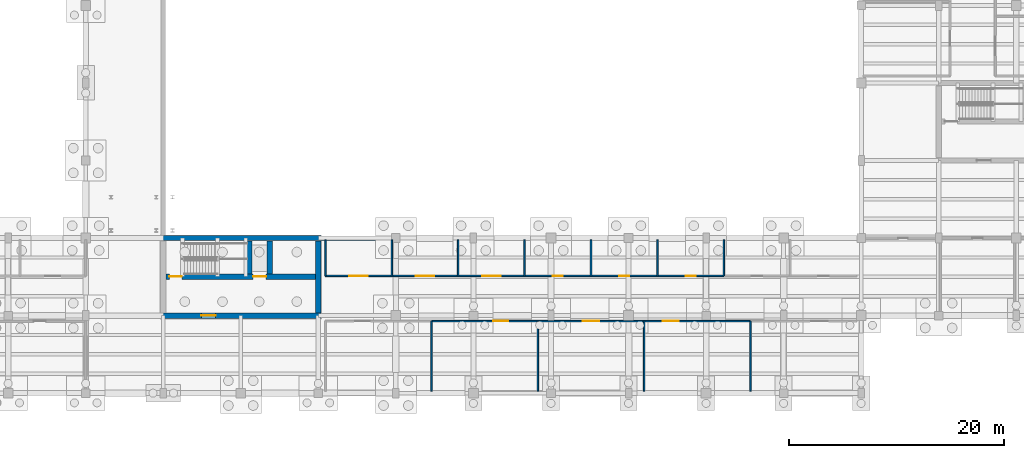
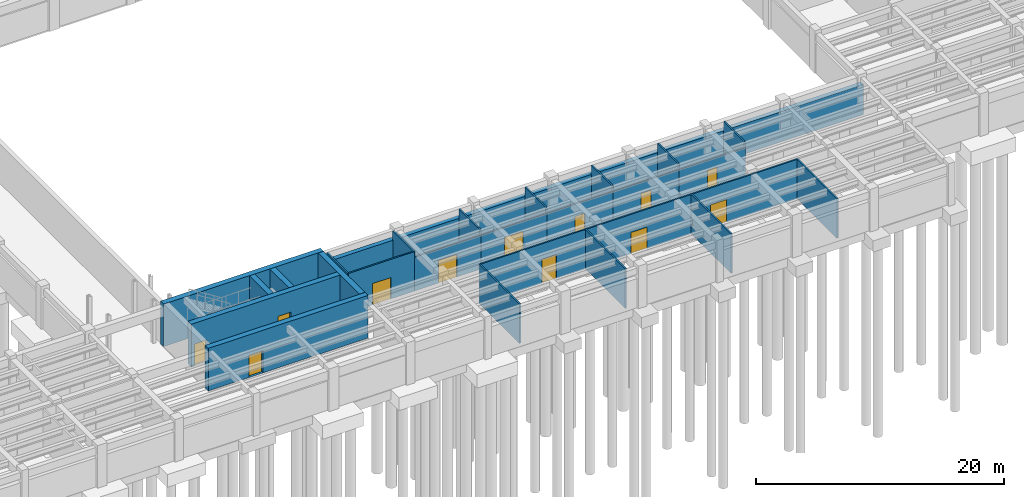
# One storey, part 19 of 33: 27 walls, 12 doors, 12 openings.
"""IFC4 building model written with IfcOpenShell, lengths in metres."""

from ifc_helpers import new_model, si_unit, direction, frame, frame_2d, origin, place, context, subcontext, project, spatial, rectangle, extrude, material, layer, layer_set, type_object, element, fill, save


model = new_model("IFC4")

# Units and contexts
model_context = context("Model", 3, precision=1e-05, world=origin(), true_north=direction((0.0, 1.0)))
body_context = subcontext(model_context, "Body", "Model", "MODEL_VIEW")
ifc_project = project(units=[si_unit("LENGTHUNIT", "METRE"), si_unit("AREAUNIT", "SQUARE_METRE"), si_unit("VOLUMEUNIT", "CUBIC_METRE"), si_unit("PLANEANGLEUNIT", "RADIAN"), si_unit("MASSUNIT", "GRAM", prefix="KILO")], contexts=[model_context])

# Site, building, storey
site_placement = place(None, origin())
site = spatial("IfcSite", under=ifc_project, at=site_placement, CompositionType="ELEMENT")
building_placement = place(site_placement, origin())
building = spatial("IfcBuilding", under=site, at=building_placement, Name="Mithqara Police Headquarters", CompositionType="ELEMENT")
storey_placement = place(building_placement, frame((0.0, 0.0, -4.199951171875)))
storey = spatial("IfcBuildingStorey", under=building, at=storey_placement, Name="B1", CompositionType="ELEMENT", Elevation=-4.199951171875)

# Wall
ifc_material_1 = material(Name="Gypsum acoustic stud partition", Category="gypsum")
ifc_layer_1 = layer(ifc_material_1, 0.139892578125, Name="Gypsum acoustic stud partition")
ifc_layer_set_1 = layer_set([ifc_layer_1], Name="Gypsum acoustic stud partition")
wall_type_1 = type_object("IfcWallType", Name="PART WALL 140", PredefinedType="PARTITIONING", material=ifc_layer_set_1)
wall_1_placement = place(storey_placement, frame((104.716064453125, 21.179931640625, 0.0), z_axis=(0.0, 0.0, 1.0), x_axis=(0.0, 1.0, 0.0)))
element("IfcWall", 1, at=wall_1_placement, inside=storey, type_object=wall_type_1, Name="B1 Room Partition Patrol Car Park", PredefinedType="PARTITIONING", context=body_context, shape_type="SweptSolid", body=[
    extrude(rectangle(XDim=6.5, YDim=0.139892578125, at=frame_2d((3.25, 0.0))), origin(), (0.0, 0.0, 1.0), 3.8798828125),
])

# Wall, opening, door
wall_2_placement = place(storey_placement, frame((104.716064453125, 27.679931640625, 0.0), z_axis=(0.0, 0.0, 1.0), x_axis=(1.0, 0.0, 0.0)))
wall_2 = element("IfcWall", 2, at=wall_2_placement, inside=storey, type_object=wall_type_1, Name="B1 Corridor Wall Driver Briefing Alcove", PredefinedType="PARTITIONING", context=body_context, shape_type="SweptSolid", body=[
    extrude(rectangle(XDim=9.865966796875, YDim=0.139892578125, at=frame_2d((4.93310546875, 0.0))), origin(), (0.0, 0.0, 1.0), 3.8798828125),
])
opening_1_placement = place(wall_2_placement, frame((5.73291015625, 0.0, 0.0)))
opening_1 = element("IfcOpeningElement", 3, at=opening_1_placement, cuts=wall_2, Name="Opening D-18", PredefinedType="OPENING", context=body_context, shape_type="SweptSolid", body=[
    extrude(rectangle(XDim=1.360107421875, YDim=2.35009765625, at=frame_2d((0.68017578125, 1.175048828125))), frame((0.0, 0.080078125, 0.0), z_axis=(0.0, -1.0, 0.0), x_axis=(1.0, 0.0, 0.0)), (0.0, 0.0, 1.0), 0.159912109375),
])
ifc_material_2 = material(Name="Bronze anodised aluminium 6063-T6", Category="aluminium")
door_type_1 = type_object("IfcDoorType", Name="INT DOOR 1360X2350", OperationType="NOTDEFINED", PredefinedType="DOOR", material=ifc_material_2)
door_1_placement = place(opening_1_placement, frame((1.360107421875, 0.0, 0.0), z_axis=(0.0, 0.0, 1.0), x_axis=(-1.0, 0.0, 0.0)))
door_1 = element("IfcDoor", 4, at=door_1_placement, inside=storey, type_object=door_type_1, Name="Driver Briefing Alcove Entry Door", OperationType="SINGLE_SWING_LEFT", OverallHeight=2.35009765625, OverallWidth=1.360107421875, PredefinedType="DOOR", context=body_context, shape_type="SweptSolid", body=[
    extrude(rectangle(XDim=1.360107421875, YDim=2.35009765625, at=frame_2d((0.68017578125, 1.175048828125))), frame((0.0, 0.02490234375, 0.0), z_axis=(0.0, -1.0, 0.0), x_axis=(1.0, 0.0, 0.0)), (0.0, 0.0, 1.0), 0.050048828125),
])
fill(opening_1, door_1)

# Wall
wall_3_placement = place(storey_placement, frame((114.58203125, 21.179931640625, 0.0), z_axis=(0.0, 0.0, 1.0), x_axis=(0.0, 1.0, 0.0)))
element("IfcWall", 5, at=wall_3_placement, inside=storey, type_object=wall_type_1, Name="B1 Room Partition Driver Briefing Alcove", PredefinedType="PARTITIONING", context=body_context, shape_type="SweptSolid", body=[
    extrude(rectangle(XDim=6.5, YDim=0.139892578125, at=frame_2d((3.25, 0.0))), origin(), (0.0, 0.0, 1.0), 3.8798828125),
])

# Wall, opening, door
wall_4_placement = place(storey_placement, frame((114.58203125, 27.679931640625, 0.0), z_axis=(0.0, 0.0, 1.0), x_axis=(1.0, 0.0, 0.0)))
wall_4 = element("IfcWall", 6, at=wall_4_placement, inside=storey, type_object=wall_type_1, Name="B1 Corridor Wall Patrol Car Park", PredefinedType="PARTITIONING", context=body_context, shape_type="SweptSolid", body=[
    extrude(rectangle(XDim=9.865966796875, YDim=0.139892578125, at=frame_2d((4.93310546875, 0.0))), origin(), (0.0, 0.0, 1.0), 3.8798828125),
])
opening_2_placement = place(wall_4_placement, frame((4.173095703125, 0.0, 0.0)))
opening_2 = element("IfcOpeningElement", 7, at=opening_2_placement, cuts=wall_4, Name="Opening D-19", PredefinedType="OPENING", context=body_context, shape_type="SweptSolid", body=[
    extrude(rectangle(XDim=1.52001953125, YDim=2.10009765625, at=frame_2d((0.760009765625, 1.050048828125))), frame((0.0, 0.080078125, 0.0), z_axis=(0.0, -1.0, 0.0), x_axis=(1.0, 0.0, 0.0)), (0.0, 0.0, 1.0), 0.159912109375),
])
door_type_2 = type_object("IfcDoorType", Name="INT DOOR 1520X2100", OperationType="NOTDEFINED", PredefinedType="DOOR", material=ifc_material_2)
door_2_placement = place(opening_2_placement, frame((1.52001953125, 0.0, 0.0), z_axis=(0.0, 0.0, 1.0), x_axis=(-1.0, 0.0, 0.0)))
door_2 = element("IfcDoor", 8, at=door_2_placement, inside=storey, type_object=door_type_2, Name="Patrol Car Park Entry Door", OperationType="DOUBLE_DOOR_SINGLE_SWING", OverallHeight=2.10009765625, OverallWidth=1.52001953125, PredefinedType="DOOR", context=body_context, shape_type="SweptSolid", body=[
    extrude(rectangle(XDim=1.52001953125, YDim=2.10009765625, at=frame_2d((0.760009765625, 1.050048828125))), frame((0.0, 0.02490234375, 0.0), z_axis=(0.0, -1.0, 0.0), x_axis=(1.0, 0.0, 0.0)), (0.0, 0.0, 1.0), 0.050048828125),
])
fill(opening_2, door_2)

# Wall
wall_5_placement = place(storey_placement, frame((124.447998046875, 21.179931640625, 0.0), z_axis=(0.0, 0.0, 1.0), x_axis=(0.0, 1.0, 0.0)))
element("IfcWall", 9, at=wall_5_placement, inside=storey, type_object=wall_type_1, Name="B1 Room Partition Patrol Car Park", PredefinedType="PARTITIONING", context=body_context, shape_type="SweptSolid", body=[
    extrude(rectangle(XDim=6.5, YDim=0.139892578125, at=frame_2d((3.25, 0.0))), origin(), (0.0, 0.0, 1.0), 3.8798828125),
])

# Wall, opening, door
wall_6_placement = place(storey_placement, frame((124.447998046875, 27.679931640625, 0.0), z_axis=(0.0, 0.0, 1.0), x_axis=(1.0, 0.0, 0.0)))
wall_6 = element("IfcWall", 10, at=wall_6_placement, inside=storey, type_object=wall_type_1, Name="B1 Corridor Wall Driver Briefing Alcove", PredefinedType="PARTITIONING", context=body_context, shape_type="SweptSolid", body=[
    extrude(rectangle(XDim=9.865966796875, YDim=0.139892578125, at=frame_2d((4.93310546875, 0.0))), origin(), (0.0, 0.0, 1.0), 3.8798828125),
])
opening_3_placement = place(wall_6_placement, frame((1.70654296875, 0.0, 0.0)))
opening_3 = element("IfcOpeningElement", 11, at=opening_3_placement, cuts=wall_6, Name="Opening D-20", PredefinedType="OPENING", context=body_context, shape_type="SweptSolid", body=[
    extrude(rectangle(XDim=1.52001953125, YDim=2.219970703125, at=frame_2d((0.760009765625, 1.10986328125))), frame((0.0, 0.080078125, 0.0), z_axis=(0.0, -1.0, 0.0), x_axis=(1.0, 0.0, 0.0)), (0.0, 0.0, 1.0), 0.159912109375),
])
door_type_3 = type_object("IfcDoorType", Name="INT DOOR 1520X2220", OperationType="NOTDEFINED", PredefinedType="DOOR", material=ifc_material_2)
door_3_placement = place(opening_3_placement, frame((1.52001953125, 0.0, 0.0), z_axis=(0.0, 0.0, 1.0), x_axis=(-1.0, 0.0, 0.0)))
door_3 = element("IfcDoor", 12, at=door_3_placement, inside=storey, type_object=door_type_3, Name="Driver Briefing Alcove Entry Door", OperationType="DOUBLE_DOOR_SINGLE_SWING", OverallHeight=2.219970703125, OverallWidth=1.52001953125, PredefinedType="DOOR", context=body_context, shape_type="SweptSolid", body=[
    extrude(rectangle(XDim=1.52001953125, YDim=2.219970703125, at=frame_2d((0.760009765625, 1.10986328125))), frame((0.0, 0.02490234375, 0.0), z_axis=(0.0, -1.0, 0.0), x_axis=(1.0, 0.0, 0.0)), (0.0, 0.0, 1.0), 0.050048828125),
])
fill(opening_3, door_3)

# Walls
wall_7_placement = place(storey_placement, frame((134.31396484375, 21.179931640625, 0.0), z_axis=(0.0, 0.0, 1.0), x_axis=(0.0, 1.0, 0.0)))
element("IfcWall", 13, at=wall_7_placement, inside=storey, type_object=wall_type_1, Name="B1 Room Partition Driver Briefing Alcove", PredefinedType="PARTITIONING", context=body_context, shape_type="SweptSolid", body=[
    extrude(rectangle(XDim=6.5, YDim=0.139892578125, at=frame_2d((3.25, 0.0))), origin(), (0.0, 0.0, 1.0), 3.8798828125),
])
wall_8_placement = place(storey_placement, frame((94.85009765625, 31.8798828125, 0.0), z_axis=(0.0, 0.0, 1.0), x_axis=(0.0, 1.0, 0.0)))
element("IfcWall", 14, at=wall_8_placement, inside=storey, type_object=wall_type_1, Name="B1 Partition End Closure E0", PredefinedType="PARTITIONING", context=body_context, shape_type="SweptSolid", body=[
    extrude(rectangle(XDim=3.340087890625, YDim=0.139892578125, at=frame_2d((1.669921875, 0.0))), origin(), (0.0, 0.0, 1.0), 3.8798828125),
])

# Wall, opening, door
wall_9_placement = place(storey_placement, frame((94.85009765625, 31.8798828125, 0.0), z_axis=(0.0, 0.0, 1.0), x_axis=(1.0, 0.0, 0.0)))
wall_9 = element("IfcWall", 15, at=wall_9_placement, inside=storey, type_object=wall_type_1, Name="B1 Corridor Wall Driver Briefing Alcove", PredefinedType="PARTITIONING", context=body_context, shape_type="SweptSolid", body=[
    extrude(rectangle(XDim=6.166015625, YDim=0.139892578125, at=frame_2d((3.0830078125, 0.0))), origin(), (0.0, 0.0, 1.0), 3.8798828125),
])
opening_4_placement = place(wall_9_placement, frame((2.222900390625, 0.0, 0.0)))
opening_4 = element("IfcOpeningElement", 16, at=opening_4_placement, cuts=wall_9, Name="Opening D-22", PredefinedType="OPENING", context=body_context, shape_type="SweptSolid", body=[
    extrude(rectangle(XDim=1.719970703125, YDim=2.10009765625, at=frame_2d((0.85986328125, 1.050048828125))), frame((0.0, 0.080078125, 0.0), z_axis=(0.0, -1.0, 0.0), x_axis=(1.0, 0.0, 0.0)), (0.0, 0.0, 1.0), 0.159912109375),
])
door_type_4 = type_object("IfcDoorType", Name="INT DOOR 1720X2100", OperationType="NOTDEFINED", PredefinedType="DOOR", material=ifc_material_2)
door_4_placement = place(opening_4_placement, origin())
door_4 = element("IfcDoor", 17, at=door_4_placement, inside=storey, type_object=door_type_4, Name="Driver Briefing Alcove Entry Door", OperationType="DOUBLE_DOOR_SINGLE_SWING", OverallHeight=2.10009765625, OverallWidth=1.719970703125, PredefinedType="DOOR", context=body_context, shape_type="SweptSolid", body=[
    extrude(rectangle(XDim=1.719970703125, YDim=2.10009765625, at=frame_2d((0.85986328125, 1.050048828125))), frame((0.0, 0.02490234375, 0.0), z_axis=(0.0, -1.0, 0.0), x_axis=(1.0, 0.0, 0.0)), (0.0, 0.0, 1.0), 0.050048828125),
])
fill(opening_4, door_4)

# Wall
wall_10_placement = place(storey_placement, frame((101.01611328125, 31.8798828125, 0.0), z_axis=(0.0, 0.0, 1.0), x_axis=(0.0, 1.0, 0.0)))
element("IfcWall", 18, at=wall_10_placement, inside=storey, type_object=wall_type_1, Name="B1 Room Partition Driver Briefing Alcove", PredefinedType="PARTITIONING", context=body_context, shape_type="SweptSolid", body=[
    extrude(rectangle(XDim=3.340087890625, YDim=0.139892578125, at=frame_2d((1.669921875, 0.0))), origin(), (0.0, 0.0, 1.0), 3.8798828125),
])

# Wall, opening, door
wall_11_placement = place(storey_placement, frame((101.01611328125, 31.8798828125, 0.0), z_axis=(0.0, 0.0, 1.0), x_axis=(1.0, 0.0, 0.0)))
wall_11 = element("IfcWall", 19, at=wall_11_placement, inside=storey, type_object=wall_type_1, Name="B1 Corridor Wall Patrol Car Park", PredefinedType="PARTITIONING", context=body_context, shape_type="SweptSolid", body=[
    extrude(rectangle(XDim=6.1669921875, YDim=0.139892578125, at=frame_2d((3.08349609375, 0.0))), origin(), (0.0, 0.0, 1.0), 3.329833984375),
])
opening_5_placement = place(wall_11_placement, frame((2.223388671875, 0.0, 0.0)))
opening_5 = element("IfcOpeningElement", 20, at=opening_5_placement, cuts=wall_11, Name="Opening D-23", PredefinedType="OPENING", context=body_context, shape_type="SweptSolid", body=[
    extrude(rectangle(XDim=1.719970703125, YDim=2.219970703125, at=frame_2d((0.85986328125, 1.10986328125))), frame((0.0, 0.080078125, 0.0), z_axis=(0.0, -1.0, 0.0), x_axis=(1.0, 0.0, 0.0)), (0.0, 0.0, 1.0), 0.159912109375),
])
door_type_5 = type_object("IfcDoorType", Name="INT DOOR 1720X2220", OperationType="NOTDEFINED", PredefinedType="DOOR", material=ifc_material_2)
door_5_placement = place(opening_5_placement, origin())
door_5 = element("IfcDoor", 21, at=door_5_placement, inside=storey, type_object=door_type_5, Name="Patrol Car Park Entry Door", OperationType="DOUBLE_DOOR_SINGLE_SWING", OverallHeight=2.219970703125, OverallWidth=1.719970703125, PredefinedType="DOOR", context=body_context, shape_type="SweptSolid", body=[
    extrude(rectangle(XDim=1.719970703125, YDim=2.219970703125, at=frame_2d((0.85986328125, 1.10986328125))), frame((0.0, 0.02490234375, 0.0), z_axis=(0.0, -1.0, 0.0), x_axis=(1.0, 0.0, 0.0)), (0.0, 0.0, 1.0), 0.050048828125),
])
fill(opening_5, door_5)

# Wall
wall_12_placement = place(storey_placement, frame((107.18310546875, 31.8798828125, 0.0), z_axis=(0.0, 0.0, 1.0), x_axis=(0.0, 1.0, 0.0)))
element("IfcWall", 22, at=wall_12_placement, inside=storey, type_object=wall_type_1, Name="B1 Room Partition Patrol Car Park", PredefinedType="PARTITIONING", context=body_context, shape_type="SweptSolid", body=[
    extrude(rectangle(XDim=3.340087890625, YDim=0.139892578125, at=frame_2d((1.669921875, 0.0))), origin(), (0.0, 0.0, 1.0), 3.8798828125),
])

# Wall, opening, door
wall_13_placement = place(storey_placement, frame((107.18310546875, 31.8798828125, 0.0), z_axis=(0.0, 0.0, 1.0), x_axis=(1.0, 0.0, 0.0)))
wall_13 = element("IfcWall", 23, at=wall_13_placement, inside=storey, type_object=wall_type_1, Name="B1 Corridor Wall Driver Briefing Alcove", PredefinedType="PARTITIONING", context=body_context, shape_type="SweptSolid", body=[
    extrude(rectangle(XDim=6.166015625, YDim=0.139892578125, at=frame_2d((3.0830078125, 0.0))), origin(), (0.0, 0.0, 1.0), 3.329833984375),
])
opening_6_placement = place(wall_13_placement, frame((2.222900390625, 0.0, 0.0)))
opening_6 = element("IfcOpeningElement", 24, at=opening_6_placement, cuts=wall_13, Name="Opening D-24", PredefinedType="OPENING", context=body_context, shape_type="SweptSolid", body=[
    extrude(rectangle(XDim=1.719970703125, YDim=2.35009765625, at=frame_2d((0.85986328125, 1.175048828125))), frame((0.0, 0.080078125, 0.0), z_axis=(0.0, -1.0, 0.0), x_axis=(1.0, 0.0, 0.0)), (0.0, 0.0, 1.0), 0.159912109375),
])
door_type_6 = type_object("IfcDoorType", Name="INT DOOR 1720X2350", OperationType="NOTDEFINED", PredefinedType="DOOR", material=ifc_material_2)
door_6_placement = place(opening_6_placement, origin())
door_6 = element("IfcDoor", 25, at=door_6_placement, inside=storey, type_object=door_type_6, Name="Driver Briefing Alcove Entry Door", OperationType="DOUBLE_DOOR_SINGLE_SWING", OverallHeight=2.35009765625, OverallWidth=1.719970703125, PredefinedType="DOOR", context=body_context, shape_type="SweptSolid", body=[
    extrude(rectangle(XDim=1.719970703125, YDim=2.35009765625, at=frame_2d((0.85986328125, 1.175048828125))), frame((0.0, 0.02490234375, 0.0), z_axis=(0.0, -1.0, 0.0), x_axis=(1.0, 0.0, 0.0)), (0.0, 0.0, 1.0), 0.050048828125),
])
fill(opening_6, door_6)

# Wall
wall_14_placement = place(storey_placement, frame((113.34912109375, 31.8798828125, 0.0), z_axis=(0.0, 0.0, 1.0), x_axis=(0.0, 1.0, 0.0)))
element("IfcWall", 26, at=wall_14_placement, inside=storey, type_object=wall_type_1, Name="B1 Room Partition Driver Briefing Alcove", PredefinedType="PARTITIONING", context=body_context, shape_type="SweptSolid", body=[
    extrude(rectangle(XDim=3.340087890625, YDim=0.139892578125, at=frame_2d((1.669921875, 0.0))), origin(), (0.0, 0.0, 1.0), 3.8798828125),
])

# Wall, opening, door
wall_15_placement = place(storey_placement, frame((113.34912109375, 31.8798828125, 0.0), z_axis=(0.0, 0.0, 1.0), x_axis=(1.0, 0.0, 0.0)))
wall_15 = element("IfcWall", 27, at=wall_15_placement, inside=storey, type_object=wall_type_1, Name="B1 Corridor Wall Patrol Car Park", PredefinedType="PARTITIONING", context=body_context, shape_type="SweptSolid", body=[
    extrude(rectangle(XDim=6.165771484375, YDim=0.139892578125, at=frame_2d((3.0830078125, 0.0))), origin(), (0.0, 0.0, 1.0), 3.329833984375),
])
opening_7_placement = place(wall_15_placement, frame((2.623046875, 0.0, 0.0)))
opening_7 = element("IfcOpeningElement", 28, at=opening_7_placement, cuts=wall_15, Name="Opening D-01", PredefinedType="OPENING", context=body_context, shape_type="SweptSolid", body=[
    extrude(rectangle(XDim=0.919921875, YDim=2.10009765625, at=frame_2d((0.4599609375, 1.050048828125))), frame((0.0, 0.080078125, 0.0), z_axis=(0.0, -1.0, 0.0), x_axis=(1.0, 0.0, 0.0)), (0.0, 0.0, 1.0), 0.159912109375),
])
ifc_material_3 = material(Name="Acoustic solid-core timber leaf", Category="wood")
door_type_7 = type_object("IfcDoorType", Name="INT DOOR 920X2100", OperationType="NOTDEFINED", PredefinedType="DOOR", material=ifc_material_3)
door_7_placement = place(opening_7_placement, origin())
door_7 = element("IfcDoor", 29, at=door_7_placement, inside=storey, type_object=door_type_7, Name="Patrol Car Park Entry Door", OperationType="SINGLE_SWING_RIGHT", OverallHeight=2.10009765625, OverallWidth=0.919921875, PredefinedType="DOOR", context=body_context, shape_type="SweptSolid", body=[
    extrude(rectangle(XDim=0.919921875, YDim=2.10009765625, at=frame_2d((0.4599609375, 1.050048828125))), frame((0.0, 0.02490234375, 0.0), z_axis=(0.0, -1.0, 0.0), x_axis=(1.0, 0.0, 0.0)), (0.0, 0.0, 1.0), 0.050048828125),
])
fill(opening_7, door_7)

# Wall
wall_16_placement = place(storey_placement, frame((119.514892578125, 31.8798828125, 0.0), z_axis=(0.0, 0.0, 1.0), x_axis=(0.0, 1.0, 0.0)))
element("IfcWall", 30, at=wall_16_placement, inside=storey, type_object=wall_type_1, Name="B1 Room Partition Patrol Car Park", PredefinedType="PARTITIONING", context=body_context, shape_type="SweptSolid", body=[
    extrude(rectangle(XDim=3.340087890625, YDim=0.139892578125, at=frame_2d((1.669921875, 0.0))), origin(), (0.0, 0.0, 1.0), 3.8798828125),
])

# Wall, opening, door
wall_17_placement = place(storey_placement, frame((119.514892578125, 31.8798828125, 0.0), z_axis=(0.0, 0.0, 1.0), x_axis=(1.0, 0.0, 0.0)))
wall_17 = element("IfcWall", 31, at=wall_17_placement, inside=storey, type_object=wall_type_1, Name="B1 Corridor Wall Driver Briefing Alcove", PredefinedType="PARTITIONING", context=body_context, shape_type="SweptSolid", body=[
    extrude(rectangle(XDim=6.166015625, YDim=0.139892578125, at=frame_2d((3.0830078125, 0.0))), origin(), (0.0, 0.0, 1.0), 3.329833984375),
])
opening_8_placement = place(wall_17_placement, frame((2.623046875, 0.0, 0.0)))
opening_8 = element("IfcOpeningElement", 32, at=opening_8_placement, cuts=wall_17, Name="Opening D-02", PredefinedType="OPENING", context=body_context, shape_type="SweptSolid", body=[
    extrude(rectangle(XDim=0.919921875, YDim=2.219970703125, at=frame_2d((0.4599609375, 1.10986328125))), frame((0.0, 0.080078125, 0.0), z_axis=(0.0, -1.0, 0.0), x_axis=(1.0, 0.0, 0.0)), (0.0, 0.0, 1.0), 0.159912109375),
])
door_type_8 = type_object("IfcDoorType", Name="INT DOOR 920X2220", OperationType="NOTDEFINED", PredefinedType="DOOR", material=ifc_material_3)
door_8_placement = place(opening_8_placement, origin())
door_8 = element("IfcDoor", 33, at=door_8_placement, inside=storey, type_object=door_type_8, Name="Driver Briefing Alcove Entry Door", OperationType="SINGLE_SWING_LEFT", OverallHeight=2.219970703125, OverallWidth=0.919921875, PredefinedType="DOOR", context=body_context, shape_type="SweptSolid", body=[
    extrude(rectangle(XDim=0.919921875, YDim=2.219970703125, at=frame_2d((0.4599609375, 1.10986328125))), frame((0.0, 0.02490234375, 0.0), z_axis=(0.0, -1.0, 0.0), x_axis=(1.0, 0.0, 0.0)), (0.0, 0.0, 1.0), 0.050048828125),
])
fill(opening_8, door_8)

# Wall
wall_18_placement = place(storey_placement, frame((125.680908203125, 31.8798828125, 0.0), z_axis=(0.0, 0.0, 1.0), x_axis=(0.0, 1.0, 0.0)))
element("IfcWall", 34, at=wall_18_placement, inside=storey, type_object=wall_type_1, Name="B1 Room Partition Driver Briefing Alcove", PredefinedType="PARTITIONING", context=body_context, shape_type="SweptSolid", body=[
    extrude(rectangle(XDim=3.340087890625, YDim=0.139892578125, at=frame_2d((1.669921875, 0.0))), origin(), (0.0, 0.0, 1.0), 3.8798828125),
])

# Wall, opening, door
wall_19_placement = place(storey_placement, frame((125.680908203125, 31.8798828125, 0.0), z_axis=(0.0, 0.0, 1.0), x_axis=(1.0, 0.0, 0.0)))
wall_19 = element("IfcWall", 35, at=wall_19_placement, inside=storey, type_object=wall_type_1, Name="B1 Corridor Wall Patrol Car Park", PredefinedType="PARTITIONING", context=body_context, shape_type="SweptSolid", body=[
    extrude(rectangle(XDim=6.166015625, YDim=0.139892578125, at=frame_2d((3.0830078125, 0.0))), origin(), (0.0, 0.0, 1.0), 3.329833984375),
])
opening_9_placement = place(wall_19_placement, frame((2.623046875, 0.0, 0.0)))
opening_9 = element("IfcOpeningElement", 36, at=opening_9_placement, cuts=wall_19, Name="Opening D-03", PredefinedType="OPENING", context=body_context, shape_type="SweptSolid", body=[
    extrude(rectangle(XDim=0.919921875, YDim=2.35009765625, at=frame_2d((0.4599609375, 1.175048828125))), frame((0.0, 0.080078125, 0.0), z_axis=(0.0, -1.0, 0.0), x_axis=(1.0, 0.0, 0.0)), (0.0, 0.0, 1.0), 0.159912109375),
])
door_type_9 = type_object("IfcDoorType", Name="INT DOOR 920X2350", OperationType="NOTDEFINED", PredefinedType="DOOR", material=ifc_material_3)
door_9_placement = place(opening_9_placement, origin())
door_9 = element("IfcDoor", 37, at=door_9_placement, inside=storey, type_object=door_type_9, Name="Patrol Car Park Entry Door", OperationType="SINGLE_SWING_RIGHT", OverallHeight=2.35009765625, OverallWidth=0.919921875, PredefinedType="DOOR", context=body_context, shape_type="SweptSolid", body=[
    extrude(rectangle(XDim=0.919921875, YDim=2.35009765625, at=frame_2d((0.4599609375, 1.175048828125))), frame((0.0, 0.02490234375, 0.0), z_axis=(0.0, -1.0, 0.0), x_axis=(1.0, 0.0, 0.0)), (0.0, 0.0, 1.0), 0.050048828125),
])
fill(opening_9, door_9)

# Walls
wall_20_placement = place(storey_placement, frame((131.846923828125, 31.8798828125, 0.0), z_axis=(0.0, 0.0, 1.0), x_axis=(0.0, 1.0, 0.0)))
element("IfcWall", 38, at=wall_20_placement, inside=storey, type_object=wall_type_1, Name="B1 Room Partition Patrol Car Park", PredefinedType="PARTITIONING", context=body_context, shape_type="SweptSolid", body=[
    extrude(rectangle(XDim=3.340087890625, YDim=0.139892578125, at=frame_2d((1.669921875, 0.0))), origin(), (0.0, 0.0, 1.0), 3.8798828125),
])
ifc_material_4 = material(Name="Concrete C40/50", Category="concrete")
ifc_layer_2 = layer(ifc_material_4, 0.419921875, Name="Concrete C40/50")
ifc_layer_set_2 = layer_set([ifc_layer_2], Name="Concrete C40/50")
wall_type_2 = type_object("IfcWallType", Name="RETAINING WALL 420", PredefinedType="USERDEFINED", material=ifc_layer_set_2)
wall_21_placement = place(storey_placement, frame((94.429931640625, 35.39990234375, 0.0), z_axis=(0.0, 0.0, 1.0), x_axis=(1.0, 0.0, 0.0)))
element("IfcWall", 39, at=wall_21_placement, inside=storey, type_object=wall_type_2, Name="B1 Perimeter Retaining Wall 22", ObjectType="RETAININGWALL", PredefinedType="USERDEFINED", context=body_context, shape_type="SweptSolid", body=[
    extrude(rectangle(XDim=50.380126953125, YDim=0.419921875, at=frame_2d((25.18994140625, 0.0))), origin(), (0.0, 0.0, 1.0), 2.97998046875),
])
ifc_material_5 = material(Name="Concrete C50/60", Category="concrete")
ifc_layer_3 = layer(ifc_material_5, 0.5, Name="Concrete C50/60")
ifc_layer_set_3 = layer_set([ifc_layer_3], Name="Concrete C50/60")
wall_type_3 = type_object("IfcWallType", Name="SHEAR WALL 500", PredefinedType="SHEAR", material=ifc_layer_set_3)
wall_22_placement = place(storey_placement, frame((79.550048828125, 35.39990234375, 0.0), z_axis=(0.0, 0.0, 1.0), x_axis=(1.0, 0.0, 0.0)))
element("IfcWall", 40, at=wall_22_placement, inside=storey, type_object=wall_type_3, Name="Core C5 Courtyard South Shear Wall N", PredefinedType="SHEAR", context=body_context, shape_type="SweptSolid", body=[
    extrude(rectangle(XDim=14.89990234375, YDim=0.5, at=frame_2d((7.449951171875, 0.0))), origin(), (0.0, 0.0, 1.0), 4.199951171875),
])

# Wall, opening, door
wall_23_placement = place(storey_placement, frame((79.550048828125, 28.199951171875, 0.0), z_axis=(0.0, 0.0, 1.0), x_axis=(1.0, 0.0, 0.0)))
wall_23 = element("IfcWall", 41, at=wall_23_placement, inside=storey, type_object=wall_type_3, Name="Core C5 Courtyard South Shear Wall S", PredefinedType="SHEAR", context=body_context, shape_type="SweptSolid", body=[
    extrude(rectangle(XDim=14.89990234375, YDim=0.5, at=frame_2d((7.449951171875, 0.0))), origin(), (0.0, 0.0, 1.0), 4.199951171875),
])
opening_10_placement = place(wall_23_placement, frame((3.800048828125, 0.0, 0.0)))
opening_10 = element("IfcOpeningElement", 42, at=opening_10_placement, cuts=wall_23, Name="Opening FD-02", PredefinedType="OPENING", context=body_context, shape_type="SweptSolid", body=[
    extrude(rectangle(XDim=1.300048828125, YDim=2.199951171875, at=frame_2d((0.64990234375, 1.10009765625))), frame((0.0, 0.260009765625, 0.0), z_axis=(0.0, -1.0, 0.0), x_axis=(1.0, 0.0, 0.0)), (0.0, 0.0, 1.0), 0.52001953125),
])
ifc_material_6 = material(Name="Steel S355JR", Category="steel")
door_type_10 = type_object("IfcDoorType", Name="CORE DOOR LOBBY 1300X2200", OperationType="NOTDEFINED", PredefinedType="DOOR", material=ifc_material_6)
door_10_placement = place(opening_10_placement, frame((1.300048828125, 0.0, 0.0), z_axis=(0.0, 0.0, 1.0), x_axis=(-1.0, 0.0, 0.0)))
door_10 = element("IfcDoor", 43, at=door_10_placement, inside=storey, type_object=door_type_10, Name="Core C5 Courtyard South Lobby Fire Door B1", OperationType="SINGLE_SWING_LEFT", OverallHeight=2.199951171875, OverallWidth=1.300048828125, PredefinedType="DOOR", context=body_context, shape_type="SweptSolid", body=[
    extrude(rectangle(XDim=1.300048828125, YDim=2.199951171875, at=frame_2d((0.64990234375, 1.10009765625))), frame((0.0, 0.02490234375, 0.0), z_axis=(0.0, -1.0, 0.0), x_axis=(1.0, 0.0, 0.0)), (0.0, 0.0, 1.0), 0.050048828125),
])
fill(opening_10, door_10)

# Wall
wall_24_placement = place(storey_placement, frame((94.199951171875, 28.4599609375, 0.0), z_axis=(0.0, 0.0, 1.0), x_axis=(0.0, 1.0, 0.0)))
element("IfcWall", 44, at=wall_24_placement, inside=storey, type_object=wall_type_3, Name="Core C5 Courtyard South Shear Wall E", PredefinedType="SHEAR", context=body_context, shape_type="SweptSolid", body=[
    extrude(rectangle(XDim=6.679931640625, YDim=0.5, at=frame_2d((3.33984375, 0.0))), origin(), (0.0, 0.0, 1.0), 4.199951171875),
])

# Wall, openings, doors
wall_25_placement = place(storey_placement, frame((80.06005859375, 31.820068359375, 0.0), z_axis=(0.0, 0.0, 1.0), x_axis=(1.0, 0.0, 0.0)))
wall_25 = element("IfcWall", 45, at=wall_25_placement, inside=storey, type_object=wall_type_3, Name="Core C5 Courtyard South Shear Wall M", PredefinedType="SHEAR", context=body_context, shape_type="SweptSolid", body=[
    extrude(rectangle(XDim=13.8798828125, YDim=0.5, at=frame_2d((6.93994140625, 0.0))), origin(), (0.0, 0.0, 1.0), 4.199951171875),
])
opening_11_placement = place(wall_25_placement, frame((8.080078125, 0.0, 0.0)))
opening_11 = element("IfcOpeningElement", 46, at=opening_11_placement, cuts=wall_25, Name="Opening LD-02", PredefinedType="OPENING", context=body_context, shape_type="SweptSolid", body=[
    extrude(rectangle(XDim=1.199951171875, YDim=2.14990234375, at=frame_2d((0.60009765625, 1.074951171875))), frame((0.0, 0.260009765625, 0.0), z_axis=(0.0, -1.0, 0.0), x_axis=(1.0, 0.0, 0.0)), (0.0, 0.0, 1.0), 0.52001953125),
])
opening_12_placement = place(wall_25_placement, frame((0.31494140625, 0.0, 0.0)))
opening_12 = element("IfcOpeningElement", 47, at=opening_12_placement, cuts=wall_25, Name="Opening FD-01", PredefinedType="OPENING", context=body_context, shape_type="SweptSolid", body=[
    extrude(rectangle(XDim=1.14990234375, YDim=2.14990234375, at=frame_2d((0.574951171875, 1.074951171875))), frame((0.0, 0.260009765625, 0.0), z_axis=(0.0, -1.0, 0.0), x_axis=(1.0, 0.0, 0.0)), (0.0, 0.0, 1.0), 0.52001953125),
])
door_type_11 = type_object("IfcDoorType", Name="CORE DOOR STAIR 1150X2150", OperationType="NOTDEFINED", PredefinedType="DOOR", material=ifc_material_6)
door_11_placement = place(opening_12_placement, origin())
door_11 = element("IfcDoor", 48, at=door_11_placement, inside=storey, type_object=door_type_11, Name="Stair ST-07 Fire Door B1", OperationType="SINGLE_SWING_LEFT", OverallHeight=2.14990234375, OverallWidth=1.14990234375, PredefinedType="DOOR", context=body_context, shape_type="SweptSolid", body=[
    extrude(rectangle(XDim=1.14990234375, YDim=2.14990234375, at=frame_2d((0.574951171875, 1.074951171875))), frame((0.0, 0.02490234375, 0.0), z_axis=(0.0, -1.0, 0.0), x_axis=(1.0, 0.0, 0.0)), (0.0, 0.0, 1.0), 0.050048828125),
])
fill(opening_12, door_11)
door_type_12 = type_object("IfcDoorType", Name="LIFT DOOR 1200X2150", OperationType="DOUBLE_DOOR_SLIDING", PredefinedType="DOOR", material=ifc_material_6)
door_12_placement = place(opening_11_placement, frame((1.199951171875, 0.0, 0.0), z_axis=(0.0, 0.0, 1.0), x_axis=(-1.0, 0.0, 0.0)))
door_12 = element("IfcDoor", 49, at=door_12_placement, inside=storey, type_object=door_type_12, Name="Lift Landing Door LP-07-B1", OperationType="DOUBLE_DOOR_SLIDING", OverallHeight=2.14990234375, OverallWidth=1.199951171875, PredefinedType="DOOR", context=body_context, shape_type="SweptSolid", body=[
    extrude(rectangle(XDim=1.199951171875, YDim=2.14990234375, at=frame_2d((0.60009765625, 1.074951171875))), frame((0.0, 0.02490234375, 0.0), z_axis=(0.0, -1.0, 0.0), x_axis=(1.0, 0.0, 0.0)), (0.0, 0.0, 1.0), 0.050048828125),
])
fill(opening_11, door_12)

# Walls
for number, where, z_axis, x_axis, name in (
    (50, (87.780029296875, 32.080078125, 0.0), (0.0, 0.0, 1.0), (0.0, 1.0, 0.0), "Core C5 Courtyard South Shear Wall X"),
    (51, (89.699951171875, 32.080078125, 0.0), (0.0, 0.0, 1.0), (0.0, 1.0, 0.0), "Core C5 Courtyard South Shear Wall L1"),
):
    element("IfcWall", number, at=place(storey_placement, frame(where, z_axis=z_axis, x_axis=x_axis)), inside=storey, type_object=wall_type_3, Name=name, PredefinedType="SHEAR", context=body_context, shape_type="SweptSolid", body=[
        extrude(rectangle(XDim=3.059814453125, YDim=0.5, at=frame_2d((1.52978515625, 0.0))), origin(), (0.0, 0.0, 1.0), 4.199951171875),
    ])

save(model, "model.ifc")
